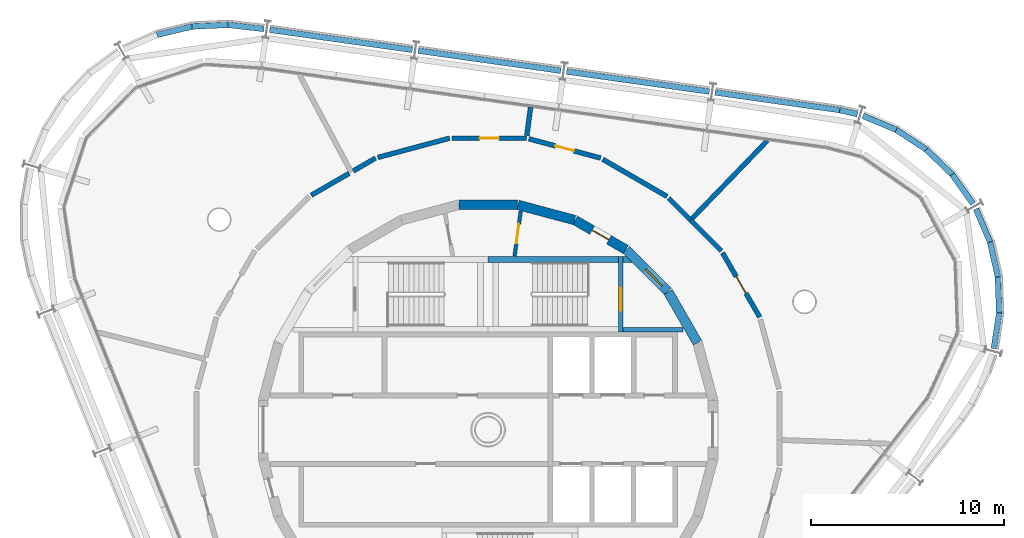
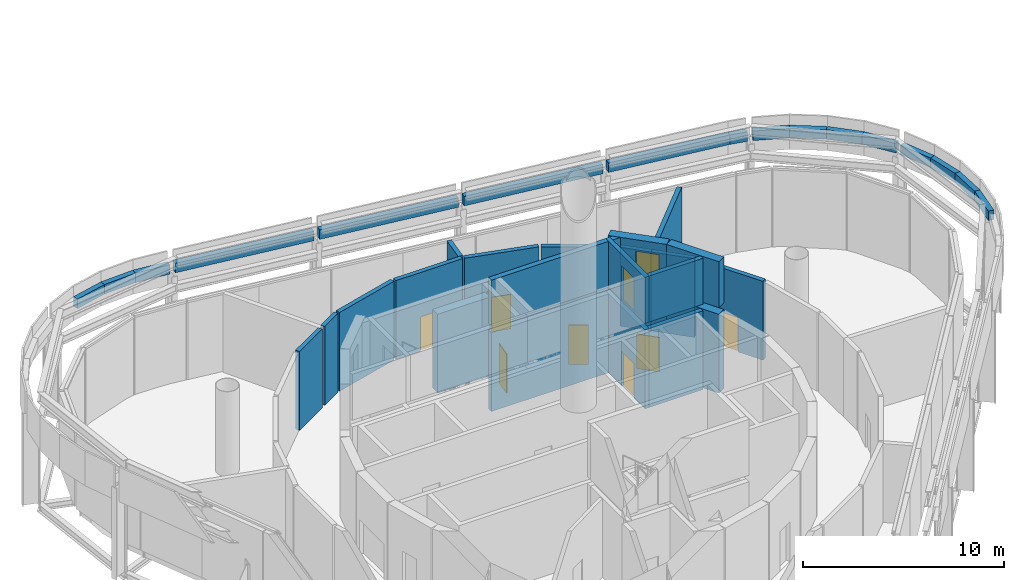
# One storey, part 12 of 15: 43 walls, 9 doors, 9 openings.
"""IFC4 building model written with IfcOpenShell, lengths in metres."""

import ifcopenshell
import ifcopenshell.guid

model = None  # the IFC model being written
_history = None  # IfcOwnerHistory: only IFC2X3 demands one
_inside = {}  # id of a spatial element -> (the spatial element, [elements in it])
_under = {}  # id of a project, library or spatial element -> (it, [spatial elements below it])
_declared = {}  # id of a project -> (the project, [libraries it declares])
_typed = {}  # id of a type object -> (the type object, [elements of that type])
_made_of = {}  # id of a material, layer set ... -> (it, [elements and type objects made of it])


def new_model(schema):
    """Start an empty IFC model of exactly this schema.

    Asked for "IFC4X3", IfcOpenShell would pick the latest addendum, in which some entities
    have other attributes; the version numbers below select the first issue.
    IFC2X3 requires an IfcOwnerHistory on every rooted entity: one is made here for all.
    """
    global model, _history
    if schema == "IFC4X3":
        model = ifcopenshell.file(schema_version=(4, 3, 0, 0))
    else:
        model = ifcopenshell.file(schema=schema)
    _inside.clear()
    _under.clear()
    _declared.clear()
    _typed.clear()
    _made_of.clear()
    _history = None
    if model.schema == "IFC2X3":
        org = make("IfcOrganization", Name="unknown")
        user = make(
            "IfcPersonAndOrganization",
            ThePerson=make("IfcPerson", FamilyName="unknown"),
            TheOrganization=org,
        )
        app = make(
            "IfcApplication",
            ApplicationDeveloper=org,
            Version="unknown",
            ApplicationFullName="unknown",
            ApplicationIdentifier="unknown",
        )
        _history = make(
            "IfcOwnerHistory",
            OwningUser=user,
            OwningApplication=app,
            ChangeAction="ADDED",
            CreationDate=0,
        )
    return model


def make(cls, **values):
    """One entity of the class cls with the attributes given. An attribute that is None is left unset."""
    return model.create_entity(
        cls, **{name: value for name, value in values.items() if value is not None}
    )


def rooted(cls, **values):
    """An entity with a GlobalId (a new one), such as an element, a storey or a relation."""
    return make(cls, GlobalId=ifcopenshell.guid.new(), OwnerHistory=_history, **values)


def si_unit(unit_type, name, prefix=None):
    """IfcSIUnit, for example si_unit("LENGTHUNIT", "METRE", prefix="MILLI")."""
    return make("IfcSIUnit", UnitType=unit_type, Prefix=prefix, Name=name)


def assignment(units):
    """IfcUnitAssignment: the units of a project."""
    return None if units is None else make("IfcUnitAssignment", Units=units)


def point(xyz):
    """IfcCartesianPoint."""
    return None if xyz is None else make("IfcCartesianPoint", Coordinates=xyz)


def direction(xyz):
    """IfcDirection."""
    return None if xyz is None else make("IfcDirection", DirectionRatios=xyz)


def frame(location, z_axis=None, x_axis=None):
    """IfcAxis2Placement3D, a coordinate frame: its origin and axes. An axis left out is left unset."""
    return make(
        "IfcAxis2Placement3D",
        Location=point(location),
        Axis=direction(z_axis),
        RefDirection=direction(x_axis),
    )


def frame_2d(location, x_axis=None):
    """IfcAxis2Placement2D, a coordinate frame in the plane: its origin and x axis."""
    return make(
        "IfcAxis2Placement2D", Location=point(location), RefDirection=direction(x_axis)
    )


def origin():
    """The frame at (0, 0, 0) with its axes left unset."""
    return frame((0.0, 0.0, 0.0))


def place(relative_to, where):
    """IfcLocalPlacement: puts the frame where relative to a parent placement (None: the world)."""
    return make(
        "IfcLocalPlacement", PlacementRelTo=relative_to, RelativePlacement=where
    )


def context(
    kind, dimensions, precision=None, world=None, true_north=None, identifier=None
):
    """IfcGeometricRepresentationContext, for example the 3D "Model" context."""
    return make(
        "IfcGeometricRepresentationContext",
        ContextIdentifier=identifier,
        ContextType=kind,
        CoordinateSpaceDimension=dimensions,
        Precision=precision,
        WorldCoordinateSystem=world,
        TrueNorth=true_north,
    )


def subcontext(parent, identifier, kind, view, scale=None):
    """IfcGeometricRepresentationSubContext, for example "Body" below "Model"."""
    return make(
        "IfcGeometricRepresentationSubContext",
        ContextIdentifier=identifier,
        ContextType=kind,
        ParentContext=parent,
        TargetScale=scale,
        TargetView=view,
    )


def project(units=None, contexts=None):
    """IfcProject with its units and contexts."""
    return rooted(
        "IfcProject",
        Name="project",
        RepresentationContexts=contexts,
        UnitsInContext=assignment(units),
    )


def spatial(cls, under=None, at=None, **own):
    """A site, building, storey or space (cls), placed at a placement, below another one or the project."""
    s = rooted(cls, ObjectPlacement=at, **own)
    if under is not None:
        _under.setdefault(under.id(), (under, []))[1].append(s)
    return s


def polyline(points):
    """IfcPolyline through the points."""
    return make("IfcPolyline", Points=[point(p) for p in points])


def profile(cls, at=None, kind="AREA", **sizes):
    """A parametric profile (cls). Its sizes go by their IFC names, for example OverallWidth=200.0."""
    return make(cls, ProfileType=kind, Position=at, **sizes)


def rectangle(**sizes):
    """IfcRectangleProfileDef."""
    return profile("IfcRectangleProfileDef", **sizes)


def outline(outer, holes=None, kind="AREA"):
    """IfcArbitraryClosedProfileDef: a profile drawn as a closed curve; with holes, ...WithVoids."""
    if holes is None:
        return make("IfcArbitraryClosedProfileDef", ProfileType=kind, OuterCurve=outer)
    return make(
        "IfcArbitraryProfileDefWithVoids",
        ProfileType=kind,
        OuterCurve=outer,
        InnerCurves=holes,
    )


def extrude(swept, where, along, depth):
    """IfcExtrudedAreaSolid: the profile swept, set in the frame where, extruded along a direction by depth."""
    return make(
        "IfcExtrudedAreaSolid",
        SweptArea=swept,
        Position=where,
        ExtrudedDirection=direction(along),
        Depth=depth,
    )


def shape(context_of_items, identifier, shape_type, items):
    """IfcShapeRepresentation: the items that make up one representation, for example the "Body"."""
    return make(
        "IfcShapeRepresentation",
        ContextOfItems=context_of_items,
        RepresentationIdentifier=identifier,
        RepresentationType=shape_type,
        Items=items,
    )


def material(Name=None, Category=None):
    """IfcMaterial."""
    return make("IfcMaterial", Name=Name, Category=Category)


def layer(
    of_material, thickness, ventilated=None, Name=None, Category=None, Priority=None
):
    """IfcMaterialLayer: one layer of a wall or slab, of a material (None: an air gap)."""
    return make(
        "IfcMaterialLayer",
        Material=of_material,
        LayerThickness=thickness,
        IsVentilated=ventilated,
        Name=Name,
        Category=Category,
        Priority=Priority,
    )


def layer_set(layers, Name=None):
    """IfcMaterialLayerSet."""
    return make("IfcMaterialLayerSet", MaterialLayers=layers, LayerSetName=Name)


def made_of(thing, what):
    """Note that an element or type object is made of a material, layer set ...; save() writes the relation."""
    if what is not None:
        _made_of.setdefault(what.id(), (what, []))[1].append(thing)
    return thing


def type_object(cls, material=None, **own):
    """A type object (cls), such as IfcWallType, which elements share."""
    return made_of(rooted(cls, **own), material)


def element(
    cls,
    number,
    at=None,
    inside=None,
    cuts=None,
    type_object=None,
    material=None,
    context=None,
    identifier="Body",
    shape_type=None,
    held_by="IfcProductDefinitionShape",
    body=None,
    shapes=None,
    **own,
):
    """One element of the class cls, such as IfcWall. Its Tag is "e" and its number.

    at: its placement. inside: the storey or other place that contains it. cuts: it is an
    opening in that element (IfcRelVoidsElement). A single representation is given by context,
    identifier, shape_type and body (its items); several are given by shapes. held_by: the class
    of the entity that holds the representations. save() writes the other relations.
    """
    e = rooted(cls, Tag="e%d" % number, ObjectPlacement=at, **own)
    if body is not None:
        shapes = [shape(context, identifier, shape_type, body)]
    if shapes is not None:
        e.Representation = make(held_by, Representations=shapes)
    if inside is not None:
        _inside.setdefault(inside.id(), (inside, []))[1].append(e)
    if cuts is not None:
        rooted(
            "IfcRelVoidsElement", RelatingBuildingElement=cuts, RelatedOpeningElement=e
        )
    if type_object is not None:
        _typed.setdefault(type_object.id(), (type_object, []))[1].append(e)
    return made_of(e, material)


def fill(opening, filler):
    """IfcRelFillsElement: the door or window that sits in an opening."""
    return rooted(
        "IfcRelFillsElement",
        RelatingOpeningElement=opening,
        RelatedBuildingElement=filler,
    )


def aggregate(whole, parts):
    """IfcRelAggregates: a whole, such as a stair, and the parts it consists of."""
    return rooted("IfcRelAggregates", RelatingObject=whole, RelatedObjects=parts)


def save(model, path):
    """Write the relations noted so far, then the file.

    IfcRelAggregates (storeys below a building ...), IfcRelContainedInSpatialStructure (elements
    in a storey), IfcRelDefinesByType, IfcRelAssociatesMaterial and IfcRelDeclares: one each for
    every whole, place, type object, material and project.
    """
    for whole, parts in _under.values():
        aggregate(whole, parts)
    for where, things in _inside.values():
        rooted(
            "IfcRelContainedInSpatialStructure",
            RelatedElements=things,
            RelatingStructure=where,
        )
    for kind, things in _typed.values():
        rooted("IfcRelDefinesByType", RelatedObjects=things, RelatingType=kind)
    for what, things in _made_of.values():
        rooted("IfcRelAssociatesMaterial", RelatedObjects=things, RelatingMaterial=what)
    for by, libraries in _declared.values():
        rooted("IfcRelDeclares", RelatingContext=by, RelatedDefinitions=libraries)
    model.write(path)


model = new_model("IFC4")

# Units and contexts
model_context = context("Model", 3, precision=1e-05, world=origin(), true_north=direction((0.0, 1.0)))
body_context = subcontext(model_context, "Body", "Model", "MODEL_VIEW")
ifc_project = project(units=[si_unit("LENGTHUNIT", "METRE"), si_unit("AREAUNIT", "SQUARE_METRE"), si_unit("VOLUMEUNIT", "CUBIC_METRE"), si_unit("PLANEANGLEUNIT", "RADIAN"), si_unit("MASSUNIT", "GRAM", prefix="KILO")], contexts=[model_context])

# Site, building, storey
site_placement = place(None, origin())
site = spatial("IfcSite", under=ifc_project, at=site_placement, CompositionType="ELEMENT")
building_placement = place(site_placement, origin())
building = spatial("IfcBuilding", under=site, at=building_placement, Name="Spindle Arch Residences", CompositionType="ELEMENT")
storey_placement = place(building_placement, frame((0.0, 0.0, 366.199951171875)))
storey = spatial("IfcBuildingStorey", under=building, at=storey_placement, Name="L94", CompositionType="ELEMENT", Elevation=366.199951171875)

# Wall
ifc_material_1 = material(Name="Concrete C50/60", Category="concrete")
ifc_layer_1 = layer(ifc_material_1, 0.5)
ifc_layer_set_1 = layer_set([ifc_layer_1], Name="Core outline wall 500")
wall_type_1 = type_object("IfcWallType", Name="Core outline wall 500", PredefinedType="SHEAR", material=ifc_layer_set_1)
wall_1_placement = place(storey_placement, frame((10.84521484375, 4.510498046875, 0.0), z_axis=(0.0, 0.0, 1.0), x_axis=(-0.500087131594, 0.865975092491, 0.0)))
element("IfcWall", 1, at=wall_1_placement, inside=storey, type_object=wall_type_1, Name="Core outline wall 8", PredefinedType="SHEAR", context=body_context, shape_type="SweptSolid", body=[
    extrude(rectangle(XDim=3.03271484375, YDim=0.5, at=frame_2d((1.516357421875, 0.0))), origin(), (0.0, 0.0, 1.0), 4.800048828125),
])

# Wall, opening, door
wall_2_placement = place(storey_placement, frame((9.30810546875, 7.163818359375, 0.0), z_axis=(0.0, 0.0, 1.0), x_axis=(-0.707106781187, 0.707106781187, 0.0)))
wall_2 = element("IfcWall", 2, at=wall_2_placement, inside=storey, type_object=wall_type_1, Name="Core outline wall 9", PredefinedType="SHEAR", context=body_context, shape_type="SweptSolid", body=[
    extrude(rectangle(XDim=3.032470703125, YDim=0.5, at=frame_2d((1.51611328125, 0.0))), origin(), (0.0, 0.0, 1.0), 4.800048828125),
])
opening_1_placement = place(wall_2_placement, frame((0.416259765625, 0.0, 0.0)))
opening_1 = element("IfcOpeningElement", 3, at=opening_1_placement, cuts=wall_2, Name="Opening L94-AD01", PredefinedType="OPENING", context=body_context, shape_type="SweptSolid", body=[
    extrude(rectangle(XDim=1.199951171875, YDim=2.10009765625, at=frame_2d((0.60009765625, 1.050048828125))), frame((0.0, 0.260009765625, 0.0), z_axis=(0.0, -1.0, 0.0), x_axis=(1.0, 0.0, 0.0)), (0.0, 0.0, 1.0), 0.52001953125),
])
ifc_material_2 = material(Name="Steel, fire-resisting door", Category="steel")
door_type_1 = type_object("IfcDoorType", Name="Stair airlock door 1200x2100", OperationType="SINGLE_SWING_LEFT", PredefinedType="DOOR", material=ifc_material_2)
door_1_placement = place(opening_1_placement, origin())
door_1 = element("IfcDoor", 4, at=door_1_placement, inside=storey, type_object=door_type_1, Name="Stair airlock door L94-AD01", OperationType="SINGLE_SWING_RIGHT", OverallHeight=2.10009765625, OverallWidth=1.199951171875, PredefinedType="DOOR", context=body_context, shape_type="SweptSolid", body=[
    extrude(rectangle(XDim=1.199951171875, YDim=2.10009765625, at=frame_2d((0.60009765625, 1.050048828125))), frame((0.0, 0.02490234375, 0.0), z_axis=(0.0, -1.0, 0.0), x_axis=(1.0, 0.0, 0.0)), (0.0, 0.0, 1.0), 0.050048828125),
])
fill(opening_1, door_1)

wall_3_placement = place(storey_placement, frame((7.13671875, 9.32861328125, 0.0), z_axis=(0.0, 0.0, 1.0), x_axis=(-0.865975092491, 0.500087131594, 0.0)))
wall_3 = element("IfcWall", 5, at=wall_3_placement, inside=storey, type_object=wall_type_1, Name="Core outline wall 10", PredefinedType="SHEAR", context=body_context, shape_type="SweptSolid", body=[
    extrude(rectangle(XDim=3.03271484375, YDim=0.5, at=frame_2d((1.516357421875, 0.0))), origin(), (0.0, 0.0, 1.0), 4.800048828125),
])
opening_2_placement = place(wall_3_placement, frame((1.016357421875, 0.0, 0.0)))
opening_2 = element("IfcOpeningElement", 6, at=opening_2_placement, cuts=wall_3, Name="Opening L94-PD10", PredefinedType="OPENING", context=body_context, shape_type="SweptSolid", body=[
    extrude(rectangle(XDim=1.0, YDim=2.39990234375, at=frame_2d((0.5, 1.199951171875))), frame((0.0, 0.260009765625, 0.0), z_axis=(0.0, -1.0, 0.0), x_axis=(1.0, 0.0, 0.0)), (0.0, 0.0, 1.0), 0.52001953125),
])
ifc_material_3 = material(Name="Steel, fire-resisting door", Category="steel")
door_type_2 = type_object("IfcDoorType", Name="Plant room door 1000x2400", OperationType="SINGLE_SWING_LEFT", PredefinedType="DOOR", material=ifc_material_3)
door_2_placement = place(opening_2_placement, origin())
door_2 = element("IfcDoor", 7, at=door_2_placement, inside=storey, type_object=door_type_2, Name="Plant room door L94-PD10", OperationType="SINGLE_SWING_LEFT", OverallHeight=2.39990234375, OverallWidth=1.0, PredefinedType="DOOR", context=body_context, shape_type="SweptSolid", body=[
    extrude(rectangle(XDim=1.0, YDim=2.39990234375, at=frame_2d((0.5, 1.199951171875))), frame((0.0, 0.02490234375, 0.0), z_axis=(0.0, -1.0, 0.0), x_axis=(1.0, 0.0, 0.0)), (0.0, 0.0, 1.0), 0.050048828125),
])
fill(opening_2, door_2)

# Walls
for number, where, z_axis, x_axis, name in (
    (8, (4.479248046875, 10.858154296875, 0.0), (0.0, 0.0, 1.0), (-0.965948410781, 0.258734743916, 0.0), "Core outline wall 11"),
    (9, (1.516357421875, 11.647216796875, 0.0), (0.0, 0.0, 1.0), (-1.0, 0.0, 0.0), "Core outline wall 12"),
):
    element("IfcWall", number, at=place(storey_placement, frame(where, z_axis=z_axis, x_axis=x_axis)), inside=storey, type_object=wall_type_1, Name=name, PredefinedType="SHEAR", context=body_context, shape_type="SweptSolid", body=[
        extrude(rectangle(XDim=3.03271484375, YDim=0.5, at=frame_2d((1.516357421875, 0.0))), origin(), (0.0, 0.0, 1.0), 4.800048828125),
    ])
wall_4_placement = place(storey_placement, frame((10.84521484375, 4.510498046875, 5.199951171875), z_axis=(0.0, 0.0, 1.0), x_axis=(-0.500087131594, 0.865975092491, 0.0)))
element("IfcWall", 10, at=wall_4_placement, inside=storey, type_object=wall_type_1, Name="Head-house ST-1 outer wall", PredefinedType="SHEAR", context=body_context, shape_type="SweptSolid", body=[
    extrude(rectangle(XDim=3.03271484375, YDim=0.5, at=frame_2d((1.516357421875, 0.0))), origin(), (0.0, 0.0, 1.0), 2.800048828125),
])

# Wall, opening, door
wall_5_placement = place(storey_placement, frame((9.30810546875, 7.163818359375, 5.199951171875), z_axis=(0.0, 0.0, 1.0), x_axis=(-0.707106781187, 0.707106781187, 0.0)))
wall_5 = element("IfcWall", 11, at=wall_5_placement, inside=storey, type_object=wall_type_1, Name="Head-house ST-1 outer wall", PredefinedType="SHEAR", context=body_context, shape_type="SweptSolid", body=[
    extrude(rectangle(XDim=3.032470703125, YDim=0.5, at=frame_2d((1.51611328125, 0.0))), origin(), (0.0, 0.0, 1.0), 2.800048828125),
])
opening_3_placement = place(wall_5_placement, frame((0.416259765625, 0.0, 0.0)))
opening_3 = element("IfcOpeningElement", 12, at=opening_3_placement, cuts=wall_5, Name="Opening L94-RD01", PredefinedType="OPENING", context=body_context, shape_type="SweptSolid", body=[
    extrude(rectangle(XDim=1.199951171875, YDim=2.10009765625, at=frame_2d((0.60009765625, 1.050048828125))), frame((0.0, 0.260009765625, 0.0), z_axis=(0.0, -1.0, 0.0), x_axis=(1.0, 0.0, 0.0)), (0.0, 0.0, 1.0), 0.52001953125),
])
ifc_material_4 = material(Name="Steel, fire-resisting door", Category="steel")
door_type_3 = type_object("IfcDoorType", Name="Roof exit door 1200x2100", OperationType="SINGLE_SWING_LEFT", PredefinedType="DOOR", material=ifc_material_4)
door_3_placement = place(opening_3_placement, origin())
door_3 = element("IfcDoor", 13, at=door_3_placement, inside=storey, type_object=door_type_3, Name="Roof exit door L94-RD01", OperationType="SINGLE_SWING_LEFT", OverallHeight=2.10009765625, OverallWidth=1.199951171875, PredefinedType="DOOR", context=body_context, shape_type="SweptSolid", body=[
    extrude(rectangle(XDim=1.199951171875, YDim=2.10009765625, at=frame_2d((0.60009765625, 1.050048828125))), frame((0.0, 0.02490234375, 0.0), z_axis=(0.0, -1.0, 0.0), x_axis=(1.0, 0.0, 0.0)), (0.0, 0.0, 1.0), 0.050048828125),
])
fill(opening_3, door_3)

# Walls
ifc_material_5 = material(Name="Concrete C40/50", Category="concrete")
ifc_layer_2 = layer(ifc_material_5, 0.300048828125)
ifc_layer_set_2 = layer_set([ifc_layer_2], Name="Crown parapet infill 580")
wall_type_2 = type_object("IfcWallType", Name="Crown parapet infill 580", PredefinedType="PARAPET", material=ifc_layer_set_2)
wall_6_placement = place(storey_placement, frame((26.195556640625, 4.202392578125, 5.199951171875), z_axis=(0.0, 0.0, 1.0), x_axis=(0.14903601421, 0.988831768537, 0.0)))
element("IfcWall", 14, at=wall_6_placement, inside=storey, type_object=wall_type_2, Name="Crown parapet infill 3.1", PredefinedType="PARAPET", context=body_context, shape_type="SweptSolid", body=[
    extrude(rectangle(XDim=1.870849609375, YDim=0.300048828125, at=frame_2d((0.935546875, 0.0))), origin(), (0.0, 0.0, 1.0), 0.580078125),
])
wall_7_placement = place(storey_placement, frame((26.473388671875, 6.03857421875, 5.199951171875), z_axis=(0.0, 0.0, 1.0), x_axis=(-0.035241595416, 0.999378822045, 0.0)))
element("IfcWall", 15, at=wall_7_placement, inside=storey, type_object=wall_type_2, Name="Crown parapet infill 3.2", PredefinedType="PARAPET", context=body_context, shape_type="SweptSolid", body=[
    extrude(rectangle(XDim=1.87744140625, YDim=0.300048828125, at=frame_2d((0.938720703125, 0.0))), origin(), (0.0, 0.0, 1.0), 0.580078125),
])
wall_8_placement = place(storey_placement, frame((26.408935546875, 7.901123046875, 5.199951171875), z_axis=(0.0, 0.0, 1.0), x_axis=(-0.21829309649, 0.975883253276, 0.0)))
element("IfcWall", 16, at=wall_8_placement, inside=storey, type_object=wall_type_2, Name="Crown parapet infill 3.3", PredefinedType="PARAPET", context=body_context, shape_type="SweptSolid", body=[
    extrude(rectangle(XDim=1.877685546875, YDim=0.300048828125, at=frame_2d((0.93896484375, 0.0))), origin(), (0.0, 0.0, 1.0), 0.580078125),
])
for number, where, z_axis, x_axis, name in (
    (17, (26.00341796875, 9.720458984375, 5.199951171875), (0.0, 0.0, 1.0), (-0.394029559753, 0.919097767401, 0.0), "Crown parapet infill 3.4"),
    (18, (25.119384765625, 11.701416015625, 5.199951171875), (0.0, 0.0, 1.0), (-0.580509572601, 0.81425342254, 0.0), "Crown parapet infill 4.1"),
):
    element("IfcWall", number, at=place(storey_placement, frame(where, z_axis=z_axis, x_axis=x_axis)), inside=storey, type_object=wall_type_2, Name=name, PredefinedType="PARAPET", context=body_context, shape_type="SweptSolid", body=[
        extrude(rectangle(XDim=1.87060546875, YDim=0.300048828125, at=frame_2d((0.935302734375, 0.0))), origin(), (0.0, 0.0, 1.0), 0.580078125),
    ])
for number, where, z_axis, x_axis, name in (
    (19, (24.04248046875, 13.214111328125, 5.199951171875), (0.0, 0.0, 1.0), (-0.720245614626, 0.693719146782, 0.0), "Crown parapet infill 4.2"),
    (20, (22.700927734375, 14.508056640625, 5.199951171875), (0.0, 0.0, 1.0), (-0.835475213106, 0.549528132387, 0.0), "Crown parapet infill 4.3"),
):
    element("IfcWall", number, at=place(storey_placement, frame(where, z_axis=z_axis, x_axis=x_axis)), inside=storey, type_object=wall_type_2, Name=name, PredefinedType="PARAPET", context=body_context, shape_type="SweptSolid", body=[
        extrude(rectangle(XDim=1.87744140625, YDim=0.300048828125, at=frame_2d((0.938720703125, 0.0))), origin(), (0.0, 0.0, 1.0), 0.580078125),
    ])
wall_9_placement = place(storey_placement, frame((21.14453125, 15.533203125, 5.199951171875), z_axis=(0.0, 0.0, 1.0), x_axis=(-0.922201889016, 0.38670877401, 0.0)))
element("IfcWall", 21, at=wall_9_placement, inside=storey, type_object=wall_type_2, Name="Crown parapet infill 4.4", PredefinedType="PARAPET", context=body_context, shape_type="SweptSolid", body=[
    extrude(rectangle(XDim=1.87060546875, YDim=0.300048828125, at=frame_2d((0.935302734375, 0.0))), origin(), (0.0, 0.0, 1.0), 0.580078125),
])
wall_10_placement = place(storey_placement, frame((19.1318359375, 16.342529296875, 5.199951171875), z_axis=(0.0, 0.0, 1.0), x_axis=(-0.973971879981, 0.226668870836, 0.0)))
element("IfcWall", 22, at=wall_10_placement, inside=storey, type_object=wall_type_2, Name="Crown parapet infill 5.1", PredefinedType="PARAPET", context=body_context, shape_type="SweptSolid", body=[
    extrude(rectangle(XDim=0.93603515625, YDim=0.300048828125, at=frame_2d((0.468017578125, 0.0))), origin(), (0.0, 0.0, 1.0), 0.580078125),
])
wall_11_placement = place(storey_placement, frame((18.2265625, 16.553466796875, 5.199951171875), z_axis=(0.0, 0.0, 1.0), x_axis=(-0.990064967567, 0.140610668148, 0.0)))
element("IfcWall", 23, at=wall_11_placement, inside=storey, type_object=wall_type_2, Name="Crown parapet infill 5.2", PredefinedType="PARAPET", context=body_context, shape_type="SweptSolid", body=[
    extrude(rectangle(XDim=6.535400390625, YDim=0.300048828125, at=frame_2d((3.267578125, 0.0))), origin(), (0.0, 0.0, 1.0), 0.580078125),
])
wall_12_placement = place(storey_placement, frame((11.458984375, 17.51416015625, 5.199951171875), z_axis=(0.0, 0.0, 1.0), x_axis=(-0.990271933282, 0.139145600559, 0.0)))
element("IfcWall", 24, at=wall_12_placement, inside=storey, type_object=wall_type_2, Name="Crown parapet infill 6.1", PredefinedType="PARAPET", context=body_context, shape_type="SweptSolid", body=[
    extrude(rectangle(XDim=7.465576171875, YDim=0.300048828125, at=frame_2d((3.73291015625, 0.0))), origin(), (0.0, 0.0, 1.0), 0.580078125),
])
wall_13_placement = place(storey_placement, frame((3.768798828125, 18.594970703125, 5.199951171875), z_axis=(0.0, 0.0, 1.0), x_axis=(-0.990271300098, 0.139150106731, 0.0)))
element("IfcWall", 25, at=wall_13_placement, inside=storey, type_object=wall_type_2, Name="Crown parapet infill 7.1", PredefinedType="PARAPET", context=body_context, shape_type="SweptSolid", body=[
    extrude(rectangle(XDim=7.46533203125, YDim=0.300048828125, at=frame_2d((3.732666015625, 0.0))), origin(), (0.0, 0.0, 1.0), 0.580078125),
])
wall_14_placement = place(storey_placement, frame((-3.921142578125, 19.675537109375, 5.199951171875), z_axis=(0.0, 0.0, 1.0), x_axis=(-0.990267426755, 0.139177668855, 0.0)))
element("IfcWall", 26, at=wall_14_placement, inside=storey, type_object=wall_type_2, Name="Crown parapet infill 8.1", PredefinedType="PARAPET", context=body_context, shape_type="SweptSolid", body=[
    extrude(rectangle(XDim=7.4658203125, YDim=0.300048828125, at=frame_2d((3.73291015625, 0.0))), origin(), (0.0, 0.0, 1.0), 0.580078125),
])
wall_15_placement = place(storey_placement, frame((-11.611083984375, 20.75634765625, 5.199951171875), z_axis=(0.0, 0.0, 1.0), x_axis=(-0.993284391344, 0.115698392006, 0.0)))
element("IfcWall", 27, at=wall_15_placement, inside=storey, type_object=wall_type_2, Name="Crown parapet infill 9.1", PredefinedType="PARAPET", context=body_context, shape_type="SweptSolid", body=[
    extrude(rectangle(XDim=1.87158203125, YDim=0.300048828125, at=frame_2d((0.935791015625, 0.0))), origin(), (0.0, 0.0, 1.0), 0.580078125),
])
wall_16_placement = place(storey_placement, frame((-13.4580078125, 20.972412109375, 5.199951171875), z_axis=(0.0, 0.0, 1.0), x_axis=(-0.998927373878, -0.046304445977, 0.0)))
element("IfcWall", 28, at=wall_16_placement, inside=storey, type_object=wall_type_2, Name="Crown parapet infill 9.2", PredefinedType="PARAPET", context=body_context, shape_type="SweptSolid", body=[
    extrude(rectangle(XDim=1.876953125, YDim=0.300048828125, at=frame_2d((0.9384765625, 0.0))), origin(), (0.0, 0.0, 1.0), 0.580078125),
])
wall_17_placement = place(storey_placement, frame((-15.319091796875, 20.887451171875, 5.199951171875), z_axis=(0.0, 0.0, 1.0), x_axis=(-0.973435921594, -0.228959617728, 0.0)))
element("IfcWall", 29, at=wall_17_placement, inside=storey, type_object=wall_type_2, Name="Crown parapet infill 9.3", PredefinedType="PARAPET", context=body_context, shape_type="SweptSolid", body=[
    extrude(rectangle(XDim=1.877685546875, YDim=0.300048828125, at=frame_2d((0.93896484375, 0.0))), origin(), (0.0, 0.0, 1.0), 0.580078125),
])
ifc_material_6 = material(Name="Concrete C25/30 wall", Category="concrete")
ifc_layer_3 = layer(ifc_material_6, 0.25)
ifc_layer_set_3 = layer_set([ifc_layer_3], Name="Partition EI 120 250 plant")
wall_type_3 = type_object("IfcWallType", Name="Partition EI 120 250 plant", PredefinedType="PARTITIONING", material=ifc_layer_set_3)
wall_18_placement = place(storey_placement, frame((-7.1982421875, 13.27734375, 0.0), z_axis=(0.0, 0.0, 1.0), x_axis=(-0.865821548015, -0.500352922439, 0.0)))
element("IfcWall", 30, at=wall_18_placement, inside=storey, type_object=wall_type_3, Name="L94-W015", PredefinedType="PARTITIONING", context=body_context, shape_type="SweptSolid", body=[
    extrude(rectangle(XDim=2.267822265625, YDim=0.25, at=frame_2d((1.1337890625, 0.0))), origin(), (0.0, 0.0, 1.0), 4.800048828125),
])
wall_19_placement = place(storey_placement, frame((-5.830078125, 14.070068359375, 0.0), z_axis=(0.0, 0.0, 1.0), x_axis=(-0.865225325987, -0.501383221968, 0.0)))
element("IfcWall", 31, at=wall_19_placement, inside=storey, type_object=wall_type_3, Name="L94-W017", PredefinedType="PARTITIONING", context=body_context, shape_type="SweptSolid", body=[
    extrude(rectangle(XDim=1.331298828125, YDim=0.25, at=frame_2d((0.66552734375, 0.0))), origin(), (0.0, 0.0, 1.0), 4.800048828125),
])
wall_20_placement = place(storey_placement, frame((-1.989990234375, 15.10009765625, 0.0), z_axis=(0.0, 0.0, 1.0), x_axis=(-0.965845546311, -0.259118468411, 0.0)))
element("IfcWall", 32, at=wall_20_placement, inside=storey, type_object=wall_type_3, Name="L94-W019", PredefinedType="PARTITIONING", context=body_context, shape_type="SweptSolid", body=[
    extrude(rectangle(XDim=3.850830078125, YDim=0.25, at=frame_2d((1.92529296875, 0.0))), origin(), (0.0, 0.0, 1.0), 4.800048828125),
])

# Wall, opening, door
wall_21_placement = place(storey_placement, frame((1.989990234375, 15.10009765625, 0.0), z_axis=(0.0, 0.0, 1.0), x_axis=(-1.0, 0.0, 0.0)))
wall_21 = element("IfcWall", 33, at=wall_21_placement, inside=storey, type_object=wall_type_3, Name="L94-W021", PredefinedType="PARTITIONING", context=body_context, shape_type="SweptSolid", body=[
    extrude(rectangle(XDim=3.85498046875, YDim=0.25, at=frame_2d((1.927490234375, 0.0))), origin(), (0.0, 0.0, 1.0), 4.800048828125),
])
opening_4_placement = place(wall_21_placement, frame((1.427490234375, 0.0, 0.0)))
opening_4 = element("IfcOpeningElement", 34, at=opening_4_placement, cuts=wall_21, Name="Opening L94-D09", PredefinedType="OPENING", context=body_context, shape_type="SweptSolid", body=[
    extrude(rectangle(XDim=1.0, YDim=2.10009765625, at=frame_2d((0.5, 1.050048828125))), frame((0.0, 0.135009765625, 0.0), z_axis=(0.0, -1.0, 0.0), x_axis=(1.0, 0.0, 0.0)), (0.0, 0.0, 1.0), 0.27001953125),
])
ifc_material_7 = material(Name="Steel door leaf, painted", Category="steel")
door_type_4 = type_object("IfcDoorType", Name="Door 1000x2100 EI 60", OperationType="SINGLE_SWING_LEFT", PredefinedType="DOOR", material=ifc_material_7)
door_4_placement = place(opening_4_placement, origin())
door_4 = element("IfcDoor", 35, at=door_4_placement, inside=storey, type_object=door_type_4, Name="L94-D09", OperationType="SINGLE_SWING_LEFT", OverallHeight=2.10009765625, OverallWidth=1.0, PredefinedType="DOOR", context=body_context, shape_type="SweptSolid", body=[
    extrude(rectangle(XDim=1.0, YDim=2.10009765625, at=frame_2d((0.5, 1.050048828125))), frame((0.0, 0.02490234375, 0.0), z_axis=(0.0, -1.0, 0.0), x_axis=(1.0, 0.0, 0.0)), (0.0, 0.0, 1.0), 0.050048828125),
])
fill(opening_4, door_4)

# Wall
wall_22_placement = place(storey_placement, frame((2.00634765625, 15.223876953125, 0.0), z_axis=(0.0, 0.0, 1.0), x_axis=(0.13004725163, 0.991507797419, 0.0)))
element("IfcWall", 36, at=wall_22_placement, inside=storey, type_object=wall_type_3, Name="L94-W022", PredefinedType="PARTITIONING", context=body_context, shape_type="SweptSolid", body=[
    extrude(rectangle(XDim=1.48876953125, YDim=0.25, at=frame_2d((0.744384765625, 0.0))), origin(), (0.0, 0.0, 1.0), 4.800048828125),
])

# Wall, opening, door
wall_23_placement = place(storey_placement, frame((5.830078125, 14.070068359375, 0.0), z_axis=(0.0, 0.0, 1.0), x_axis=(-0.965861411942, 0.259059323171, 0.0)))
wall_23 = element("IfcWall", 37, at=wall_23_placement, inside=storey, type_object=wall_type_3, Name="L94-W026", PredefinedType="PARTITIONING", context=body_context, shape_type="SweptSolid", body=[
    extrude(rectangle(XDim=3.8505859375, YDim=0.25, at=frame_2d((1.92529296875, 0.0))), origin(), (0.0, 0.0, 1.0), 4.800048828125),
])
opening_5_placement = place(wall_23_placement, frame((1.42529296875, 0.0, 0.0)))
opening_5 = element("IfcOpeningElement", 38, at=opening_5_placement, cuts=wall_23, Name="Opening L94-D08", PredefinedType="OPENING", context=body_context, shape_type="SweptSolid", body=[
    extrude(rectangle(XDim=1.0, YDim=2.10009765625, at=frame_2d((0.5, 1.050048828125))), frame((0.0, 0.135009765625, 0.0), z_axis=(0.0, -1.0, 0.0), x_axis=(1.0, 0.0, 0.0)), (0.0, 0.0, 1.0), 0.27001953125),
])
door_5_placement = place(opening_5_placement, origin())
door_5 = element("IfcDoor", 39, at=door_5_placement, inside=storey, type_object=door_type_4, Name="L94-D08", OperationType="SINGLE_SWING_LEFT", OverallHeight=2.10009765625, OverallWidth=1.0, PredefinedType="DOOR", context=body_context, shape_type="SweptSolid", body=[
    extrude(rectangle(XDim=1.0, YDim=2.10009765625, at=frame_2d((0.5, 1.050048828125))), frame((0.0, 0.02490234375, 0.0), z_axis=(0.0, -1.0, 0.0), x_axis=(1.0, 0.0, 0.0)), (0.0, 0.0, 1.0), 0.050048828125),
])
fill(opening_5, door_5)

# Walls
wall_24_placement = place(storey_placement, frame((9.27001953125, 12.080078125, 0.0), z_axis=(0.0, 0.0, 1.0), x_axis=(-0.865615852585, 0.500708693508, 0.0)))
element("IfcWall", 40, at=wall_24_placement, inside=storey, type_object=wall_type_3, Name="L94-W028", PredefinedType="PARTITIONING", context=body_context, shape_type="SweptSolid", body=[
    extrude(rectangle(XDim=3.84912109375, YDim=0.25, at=frame_2d((1.924560546875, 0.0))), origin(), (0.0, 0.0, 1.0), 4.800048828125),
])
wall_25_placement = place(storey_placement, frame((10.489990234375, 10.860107421875, 0.0), z_axis=(0.0, 0.0, 1.0), x_axis=(-0.707106781187, 0.707106781187, 0.0)))
element("IfcWall", 41, at=wall_25_placement, inside=storey, type_object=wall_type_3, Name="L94-W029", PredefinedType="PARTITIONING", context=body_context, shape_type="SweptSolid", body=[
    extrude(rectangle(XDim=1.600341796875, YDim=0.25, at=frame_2d((0.80029296875, 0.0))), origin(), (0.0, 0.0, 1.0), 4.800048828125),
])
wall_26_placement = place(storey_placement, frame((10.576904296875, 10.949951171875, 0.0), z_axis=(0.0, 0.0, 1.0), x_axis=(0.694748067219, 0.719253170376, 0.0)))
element("IfcWall", 42, at=wall_26_placement, inside=storey, type_object=wall_type_3, Name="L94-W030", PredefinedType="PARTITIONING", context=body_context, shape_type="SweptSolid", body=[
    extrude(rectangle(XDim=5.589111328125, YDim=0.25, at=frame_2d((2.79443359375, 0.0))), origin(), (0.0, 0.0, 1.0), 4.800048828125),
])
wall_27_placement = place(storey_placement, frame((12.080078125, 9.27001953125, 0.0), z_axis=(0.0, 0.0, 1.0), x_axis=(-0.707106781187, 0.707106781187, 0.0)))
element("IfcWall", 43, at=wall_27_placement, inside=storey, type_object=wall_type_3, Name="L94-W033", PredefinedType="PARTITIONING", context=body_context, shape_type="SweptSolid", body=[
    extrude(rectangle(XDim=2.248779296875, YDim=0.25, at=frame_2d((1.12451171875, 0.0))), origin(), (0.0, 0.0, 1.0), 4.800048828125),
])

# Wall, opening, door
wall_28_placement = place(storey_placement, frame((14.070068359375, 5.830078125, 0.0), z_axis=(0.0, 0.0, 1.0), x_axis=(-0.500756218026, 0.865588360659, 0.0)))
wall_28 = element("IfcWall", 44, at=wall_28_placement, inside=storey, type_object=wall_type_3, Name="L94-W035", PredefinedType="PARTITIONING", context=body_context, shape_type="SweptSolid", body=[
    extrude(rectangle(XDim=3.84912109375, YDim=0.25, at=frame_2d((1.924560546875, 0.0))), origin(), (0.0, 0.0, 1.0), 4.800048828125),
])
opening_6_placement = place(wall_28_placement, frame((1.424560546875, 0.0, 0.0)))
opening_6 = element("IfcOpeningElement", 45, at=opening_6_placement, cuts=wall_28, Name="Opening L94-D06", PredefinedType="OPENING", context=body_context, shape_type="SweptSolid", body=[
    extrude(rectangle(XDim=1.0, YDim=2.10009765625, at=frame_2d((0.5, 1.050048828125))), frame((0.0, 0.135009765625, 0.0), z_axis=(0.0, -1.0, 0.0), x_axis=(1.0, 0.0, 0.0)), (0.0, 0.0, 1.0), 0.27001953125),
])
door_6_placement = place(opening_6_placement, origin())
door_6 = element("IfcDoor", 46, at=door_6_placement, inside=storey, type_object=door_type_4, Name="L94-D06", OperationType="SINGLE_SWING_LEFT", OverallHeight=2.10009765625, OverallWidth=1.0, PredefinedType="DOOR", context=body_context, shape_type="SweptSolid", body=[
    extrude(rectangle(XDim=1.0, YDim=2.10009765625, at=frame_2d((0.5, 1.050048828125))), frame((0.0, 0.02490234375, 0.0), z_axis=(0.0, -1.0, 0.0), x_axis=(1.0, 0.0, 0.0)), (0.0, 0.0, 1.0), 0.050048828125),
])
fill(opening_6, door_6)

ifc_material_8 = material(Name="Concrete C25/30", Category="concrete")
ifc_layer_4 = layer(ifc_material_8, 0.18994140625)
ifc_layer_set_4 = layer_set([ifc_layer_4], Name="Plant room partition 190")
wall_type_4 = type_object("IfcWallType", Name="Plant room partition 190", PredefinedType="PARTITIONING", material=ifc_layer_set_4)
wall_29_placement = place(storey_placement, frame((1.69091796875, 11.32568359375, 0.0), z_axis=(0.0, 0.0, 1.0), x_axis=(-0.135344253201, -0.990798633994, 0.0)))
wall_29 = element("IfcWall", 47, at=wall_29_placement, inside=storey, type_object=wall_type_4, Name="Core plant room partition", PredefinedType="PARTITIONING", context=body_context, shape_type="SweptSolid", body=[
    extrude(rectangle(XDim=2.357666015625, YDim=0.18994140625, at=frame_2d((1.1787109375, 0.0))), origin(), (0.0, 0.0, 1.0), 4.800048828125),
])
opening_7_placement = place(wall_29_placement, frame((0.6787109375, 0.0, 0.0)))
opening_7 = element("IfcOpeningElement", 48, at=opening_7_placement, cuts=wall_29, Name="Opening L94-PD06", PredefinedType="OPENING", context=body_context, shape_type="SweptSolid", body=[
    extrude(rectangle(XDim=1.0, YDim=2.39990234375, at=frame_2d((0.5, 1.199951171875))), frame((0.0, 0.10498046875, 0.0), z_axis=(0.0, -1.0, 0.0), x_axis=(1.0, 0.0, 0.0)), (0.0, 0.0, 1.0), 0.2099609375),
])
door_7_placement = place(opening_7_placement, origin())
door_7 = element("IfcDoor", 49, at=door_7_placement, inside=storey, type_object=door_type_2, Name="Plant room door L94-PD06", OperationType="SINGLE_SWING_LEFT", OverallHeight=2.39990234375, OverallWidth=1.0, PredefinedType="DOOR", context=body_context, shape_type="SweptSolid", body=[
    extrude(rectangle(XDim=1.0, YDim=2.39990234375, at=frame_2d((0.5, 1.199951171875))), frame((0.0, 0.02490234375, 0.0), z_axis=(0.0, -1.0, 0.0), x_axis=(1.0, 0.0, 0.0)), (0.0, 0.0, 1.0), 0.050048828125),
])
fill(opening_7, door_7)

# Walls
ifc_material_9 = material(Name="Concrete C40/50", Category="concrete")
ifc_layer_5 = layer(ifc_material_9, 0.25)
ifc_layer_set_5 = layer_set([ifc_layer_5], Name="Stair airlock wall 250")
wall_type_5 = type_object("IfcWallType", Name="Stair airlock wall 250", PredefinedType="SHEAR", material=ifc_layer_set_5)
wall_30_placement = place(storey_placement, frame((7.0, 5.175048828125, 0.0), z_axis=(0.0, 0.0, 1.0), x_axis=(1.0, 0.0, 0.0)))
element("IfcWall", 50, at=wall_30_placement, inside=storey, type_object=wall_type_5, Name="Stair ST-1 airlock wall S", PredefinedType="SHEAR", context=body_context, shape_type="SweptSolid", body=[
    extrude(rectangle(XDim=3.10009765625, YDim=0.25, at=frame_2d((1.550048828125, 0.0))), origin(), (0.0, 0.0, 1.0), 4.800048828125),
])
wall_31_placement = place(storey_placement, frame((7.0, 5.175048828125, 5.199951171875), z_axis=(0.0, 0.0, 1.0), x_axis=(1.0, 0.0, 0.0)))
element("IfcWall", 51, at=wall_31_placement, inside=storey, type_object=wall_type_5, Name="Head-house ST-1 vestibule wall S", PredefinedType="SHEAR", context=body_context, shape_type="SweptSolid", body=[
    extrude(rectangle(XDim=3.10009765625, YDim=0.25, at=frame_2d((1.550048828125, 0.0))), origin(), (0.0, 0.0, 1.0), 2.800048828125),
])
ifc_material_10 = material(Name="Concrete C40/50", Category="concrete")
wall_type_6 = type_object("IfcWallType", Name="Stair airlock wall profile", PredefinedType="SHEAR", material=ifc_material_10)
wall_32_placement = place(storey_placement, origin())
element("IfcWall", 52, at=wall_32_placement, inside=storey, type_object=wall_type_6, Name="Stair ST-1 airlock wall N", PredefinedType="SHEAR", context=body_context, shape_type="SweptSolid", body=[
    extrude(outline(polyline([(7.4482421875, 8.669921875), (7.0, 8.669921875), (7.0, 8.969970703125), (7.148193359375, 8.969970703125), (7.4482421875, 8.669921875)])), origin(), (0.0, 0.0, 1.0), 4.800048828125),
])
wall_33_placement = place(storey_placement, frame((0.0, 0.0, 5.199951171875)))
element("IfcWall", 53, at=wall_33_placement, inside=storey, type_object=wall_type_6, Name="Head-house ST-1 vestibule wall N", PredefinedType="SHEAR", context=body_context, shape_type="SweptSolid", body=[
    extrude(outline(polyline([(7.4482421875, 8.669921875), (7.0, 8.669921875), (7.0, 8.969970703125), (7.148193359375, 8.969970703125), (7.4482421875, 8.669921875)])), origin(), (0.0, 0.0, 1.0), 2.800048828125),
])

# Wall, opening, door
ifc_material_11 = material(Name="Concrete C50/60", Category="concrete")
ifc_layer_6 = layer(ifc_material_11, 0.25)
ifc_layer_set_6 = layer_set([ifc_layer_6], Name="Stair enclosure wall 250")
wall_type_7 = type_object("IfcWallType", Name="Stair enclosure wall 250", PredefinedType="SHEAR", material=ifc_layer_set_6)
wall_34_placement = place(storey_placement, frame((6.875, 5.050048828125, 0.0), z_axis=(0.0, 0.0, 1.0), x_axis=(0.0, 1.0, 0.0)))
wall_34 = element("IfcWall", 54, at=wall_34_placement, inside=storey, type_object=wall_type_7, Name="Stair ST-1 door wall", PredefinedType="SHEAR", context=body_context, shape_type="SweptSolid", body=[
    extrude(rectangle(XDim=3.919921875, YDim=0.25, at=frame_2d((1.9599609375, 0.0))), origin(), (0.0, 0.0, 1.0), 4.800048828125),
])
opening_8_placement = place(wall_34_placement, frame((1.110107421875, 0.0, 0.0)))
opening_8 = element("IfcOpeningElement", 55, at=opening_8_placement, cuts=wall_34, Name="Opening L94-SD01", PredefinedType="OPENING", context=body_context, shape_type="SweptSolid", body=[
    extrude(rectangle(XDim=1.199951171875, YDim=2.10009765625, at=frame_2d((0.60009765625, 1.050048828125))), frame((0.0, 0.135009765625, 0.0), z_axis=(0.0, -1.0, 0.0), x_axis=(1.0, 0.0, 0.0)), (0.0, 0.0, 1.0), 0.27001953125),
])
ifc_material_12 = material(Name="Steel, fire-resisting door", Category="steel")
door_type_5 = type_object("IfcDoorType", Name="Stair door 1200x2100", OperationType="SINGLE_SWING_RIGHT", PredefinedType="DOOR", material=ifc_material_12)
door_8_placement = place(opening_8_placement, origin())
door_8 = element("IfcDoor", 56, at=door_8_placement, inside=storey, type_object=door_type_5, Name="Stair door L94-SD01", OperationType="SINGLE_SWING_LEFT", OverallHeight=2.10009765625, OverallWidth=1.199951171875, PredefinedType="DOOR", context=body_context, shape_type="SweptSolid", body=[
    extrude(rectangle(XDim=1.199951171875, YDim=2.10009765625, at=frame_2d((0.60009765625, 1.050048828125))), frame((0.0, 0.02490234375, 0.0), z_axis=(0.0, -1.0, 0.0), x_axis=(1.0, 0.0, 0.0)), (0.0, 0.0, 1.0), 0.050048828125),
])
fill(opening_8, door_8)

wall_35_placement = place(storey_placement, frame((6.875, 5.050048828125, 5.199951171875), z_axis=(0.0, 0.0, 1.0), x_axis=(0.0, 1.0, 0.0)))
wall_35 = element("IfcWall", 57, at=wall_35_placement, inside=storey, type_object=wall_type_7, Name="Head-house ST-1 door wall", PredefinedType="SHEAR", context=body_context, shape_type="SweptSolid", body=[
    extrude(rectangle(XDim=3.919921875, YDim=0.25, at=frame_2d((1.9599609375, 0.0))), origin(), (0.0, 0.0, 1.0), 2.800048828125),
])
opening_9_placement = place(wall_35_placement, frame((1.110107421875, 0.0, 0.0)))
opening_9 = element("IfcOpeningElement", 58, at=opening_9_placement, cuts=wall_35, Name="Opening L94-SD04", PredefinedType="OPENING", context=body_context, shape_type="SweptSolid", body=[
    extrude(rectangle(XDim=1.199951171875, YDim=2.10009765625, at=frame_2d((0.60009765625, 1.050048828125))), frame((0.0, 0.135009765625, 0.0), z_axis=(0.0, -1.0, 0.0), x_axis=(1.0, 0.0, 0.0)), (0.0, 0.0, 1.0), 0.27001953125),
])
door_9_placement = place(opening_9_placement, origin())
door_9 = element("IfcDoor", 59, at=door_9_placement, inside=storey, type_object=door_type_5, Name="Stair door L94-SD04", OperationType="SINGLE_SWING_RIGHT", OverallHeight=2.10009765625, OverallWidth=1.199951171875, PredefinedType="DOOR", context=body_context, shape_type="SweptSolid", body=[
    extrude(rectangle(XDim=1.199951171875, YDim=2.10009765625, at=frame_2d((0.60009765625, 1.050048828125))), frame((0.0, 0.02490234375, 0.0), z_axis=(0.0, -1.0, 0.0), x_axis=(1.0, 0.0, 0.0)), (0.0, 0.0, 1.0), 0.050048828125),
])
fill(opening_9, door_9)

# Walls
ifc_material_13 = material(Name="Concrete C50/60", Category="concrete")
ifc_layer_7 = layer(ifc_material_13, 0.300048828125)
ifc_layer_set_7 = layer_set([ifc_layer_7], Name="Stair enclosure wall 300")
wall_type_8 = type_object("IfcWallType", Name="Stair enclosure wall 300", PredefinedType="SHEAR", material=ifc_layer_set_7)
wall_36_placement = place(storey_placement, frame((0.0, 8.820068359375, 0.0), z_axis=(0.0, 0.0, 1.0), x_axis=(1.0, 0.0, 0.0)))
element("IfcWall", 60, at=wall_36_placement, inside=storey, type_object=wall_type_8, Name="Stair ST-1 enclosure wall N", PredefinedType="SHEAR", context=body_context, shape_type="SweptSolid", body=[
    extrude(rectangle(XDim=6.75, YDim=0.300048828125, at=frame_2d((3.375, 0.0))), origin(), (0.0, 0.0, 1.0), 4.800048828125),
])
wall_37_placement = place(storey_placement, frame((0.0, 8.820068359375, 5.199951171875), z_axis=(0.0, 0.0, 1.0), x_axis=(1.0, 0.0, 0.0)))
element("IfcWall", 61, at=wall_37_placement, inside=storey, type_object=wall_type_8, Name="Head-house ST-1 wall N", PredefinedType="SHEAR", context=body_context, shape_type="SweptSolid", body=[
    extrude(rectangle(XDim=6.75, YDim=0.300048828125, at=frame_2d((3.375, 0.0))), origin(), (0.0, 0.0, 1.0), 2.800048828125),
])

save(model, "model.ifc")
